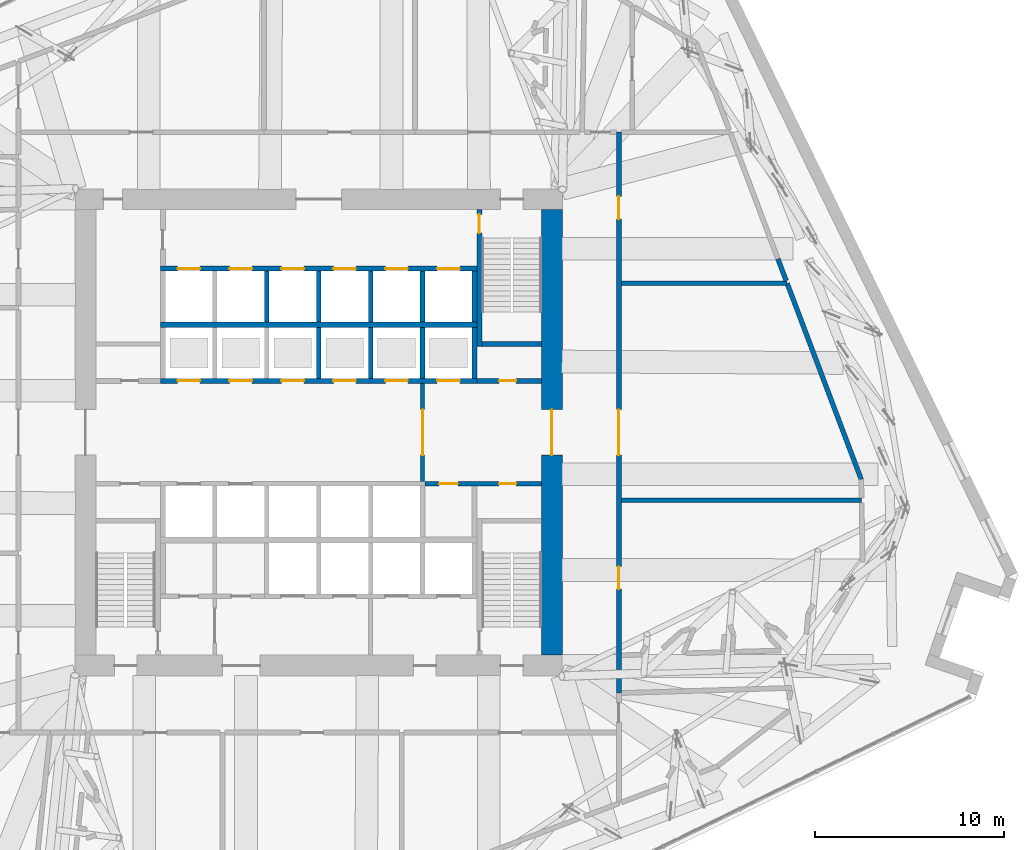
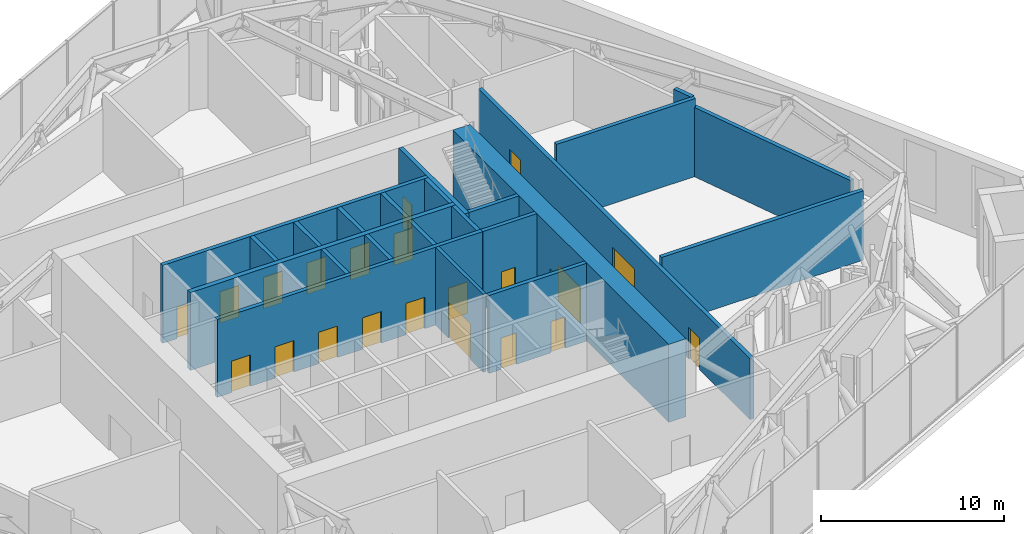
# One storey, part 13 of 21: 23 walls, 21 doors, 21 openings.
"""IFC4 building model written with IfcOpenShell, lengths in metres."""

from ifc_helpers import new_model, si_unit, direction, frame, frame_2d, origin, place, context, subcontext, project, spatial, rectangle, extrude, material, layer, layer_set, type_object, element, fill, save


model = new_model("IFC4")

# Units and contexts
model_context = context("Model", 3, precision=1e-05, world=origin(), true_north=direction((0.0, 1.0)))
body_context = subcontext(model_context, "Body", "Model", "MODEL_VIEW")
ifc_project = project(units=[si_unit("LENGTHUNIT", "METRE"), si_unit("AREAUNIT", "SQUARE_METRE"), si_unit("VOLUMEUNIT", "CUBIC_METRE"), si_unit("PLANEANGLEUNIT", "RADIAN"), si_unit("MASSUNIT", "GRAM", prefix="KILO")], contexts=[model_context])

# Site, building, storey
site_placement = place(None, origin())
site = spatial("IfcSite", under=ifc_project, at=site_placement, CompositionType="ELEMENT")
building_placement = place(site_placement, origin())
building = spatial("IfcBuilding", under=site, at=building_placement, Name="Dilmun Exchange Tower", CompositionType="ELEMENT")
storey_placement = place(building_placement, frame((0.0, 0.0, 130.10009765625)))
storey = spatial("IfcBuildingStorey", under=building, at=storey_placement, Name="L30", CompositionType="ELEMENT", Elevation=130.10009765625)

# Wall, opening, door
ifc_material_1 = material(Name="Concrete C40/50", Category="concrete")
ifc_layer_1 = layer(ifc_material_1, 0.199951171875)
ifc_layer_set_1 = layer_set([ifc_layer_1], Name="Concrete C40/50")
wall_type_1 = type_object("IfcWallType", Name="Core partition wall 200", PredefinedType="PARTITIONING", material=ifc_layer_set_1)
wall_1_placement = place(storey_placement, frame((5.5, -2.594970703125, 0.0), z_axis=(0.0, 0.0, 1.0), x_axis=(0.0, 1.0, 0.0)))
wall_1 = element("IfcWall", 1, at=wall_1_placement, inside=storey, type_object=wall_type_1, Name="L30 core partition wall 09", PredefinedType="PARTITIONING", context=body_context, shape_type="SweptSolid", body=[
    extrude(rectangle(XDim=5.18994140625, YDim=0.199951171875, at=frame_2d((2.594970703125, 0.0))), origin(), (0.0, 0.0, 1.0), 5.199951171875),
])
opening_1_placement = place(wall_1_placement, frame((1.39501953125, 0.0, 0.0)))
opening_1 = element("IfcOpeningElement", 2, at=opening_1_placement, cuts=wall_1, Name="Opening CD1", PredefinedType="OPENING", context=body_context, shape_type="SweptSolid", body=[
    extrude(rectangle(XDim=2.39990234375, YDim=2.39990234375, at=frame_2d((1.199951171875, 1.199951171875))), frame((0.0, 0.10986328125, 0.0), z_axis=(0.0, -1.0, 0.0), x_axis=(1.0, 0.0, 0.0)), (0.0, 0.0, 1.0), 0.219970703125),
])
ifc_material_2 = material(Name="Fire-rated steel door set", Category="steel")
door_type_1 = type_object("IfcDoorType", Name="Core lobby door 2400x2400", OperationType="DOUBLE_DOOR_DOUBLE_SWING", PredefinedType="DOOR", material=ifc_material_2)
door_1_placement = place(opening_1_placement, origin())
door_1 = element("IfcDoor", 3, at=door_1_placement, inside=storey, type_object=door_type_1, Name="L30 door Lift lobby east", OperationType="SINGLE_SWING_LEFT", OverallHeight=2.39990234375, OverallWidth=2.39990234375, PredefinedType="DOOR", context=body_context, shape_type="SweptSolid", body=[
    extrude(rectangle(XDim=2.39990234375, YDim=2.39990234375, at=frame_2d((1.199951171875, 1.199951171875))), frame((0.0, 0.02490234375, 0.0), z_axis=(0.0, -1.0, 0.0), x_axis=(1.0, 0.0, 0.0)), (0.0, 0.0, 1.0), 0.050048828125),
])
fill(opening_1, door_1)

# Wall, openings, doors
ifc_layer_2 = layer(ifc_material_1, 0.25)
ifc_layer_set_2 = layer_set([ifc_layer_2], Name="Concrete C40/50")
wall_type_2 = type_object("IfcWallType", Name="Core partition wall 250", PredefinedType="PARTITIONING", material=ifc_layer_set_2)
wall_2_placement = place(storey_placement, frame((5.6298828125, -2.72509765625, 0.0), z_axis=(0.0, 0.0, 1.0), x_axis=(1.0, 0.0, 0.0)))
wall_2 = element("IfcWall", 4, at=wall_2_placement, inside=storey, type_object=wall_type_2, Name="L30 core partition wall 08", PredefinedType="PARTITIONING", context=body_context, shape_type="SweptSolid", body=[
    extrude(rectangle(XDim=6.1650390625, YDim=0.25, at=frame_2d((3.08251953125, 0.0))), origin(), (0.0, 0.0, 1.0), 5.199951171875),
])
opening_2_placement = place(wall_2_placement, frame((0.7451171875, 0.0, 0.0)))
opening_2 = element("IfcOpeningElement", 5, at=opening_2_placement, cuts=wall_2, Name="Opening CD4", PredefinedType="OPENING", context=body_context, shape_type="SweptSolid", body=[
    extrude(rectangle(XDim=1.0, YDim=2.10009765625, at=frame_2d((0.5, 1.050048828125))), frame((0.0, 0.135009765625, 0.0), z_axis=(0.0, -1.0, 0.0), x_axis=(1.0, 0.0, 0.0)), (0.0, 0.0, 1.0), 0.27001953125),
])
opening_3_placement = place(wall_2_placement, frame((3.919921875, 0.0, 0.0)))
opening_3 = element("IfcOpeningElement", 6, at=opening_3_placement, cuts=wall_2, Name="Opening CD6", PredefinedType="OPENING", context=body_context, shape_type="SweptSolid", body=[
    extrude(rectangle(XDim=0.89990234375, YDim=2.10009765625, at=frame_2d((0.449951171875, 1.050048828125))), frame((0.0, 0.135009765625, 0.0), z_axis=(0.0, -1.0, 0.0), x_axis=(1.0, 0.0, 0.0)), (0.0, 0.0, 1.0), 0.27001953125),
])
door_type_2 = type_object("IfcDoorType", Name="Core room door 1000x2100", OperationType="SINGLE_SWING_LEFT", PredefinedType="DOOR", material=ifc_material_2)
door_2_placement = place(opening_2_placement, origin())
door_2 = element("IfcDoor", 7, at=door_2_placement, inside=storey, type_object=door_type_2, Name="L30 door Cleaners' store", OperationType="SINGLE_SWING_LEFT", OverallHeight=2.10009765625, OverallWidth=1.0, PredefinedType="DOOR", context=body_context, shape_type="SweptSolid", body=[
    extrude(rectangle(XDim=1.0, YDim=2.10009765625, at=frame_2d((0.5, 1.050048828125))), frame((0.0, 0.02490234375, 0.0), z_axis=(0.0, -1.0, 0.0), x_axis=(1.0, 0.0, 0.0)), (0.0, 0.0, 1.0), 0.050048828125),
])
fill(opening_2, door_2)
door_type_3 = type_object("IfcDoorType", Name="Core room door 900x2100", OperationType="SINGLE_SWING_LEFT", PredefinedType="DOOR", material=ifc_material_2)
door_3_placement = place(opening_3_placement, origin())
door_3 = element("IfcDoor", 8, at=door_3_placement, inside=storey, type_object=door_type_3, Name="L30 door Comms riser", OperationType="SINGLE_SWING_LEFT", OverallHeight=2.10009765625, OverallWidth=0.89990234375, PredefinedType="DOOR", context=body_context, shape_type="SweptSolid", body=[
    extrude(rectangle(XDim=0.89990234375, YDim=2.10009765625, at=frame_2d((0.449951171875, 1.050048828125))), frame((0.0, 0.02490234375, 0.0), z_axis=(0.0, -1.0, 0.0), x_axis=(1.0, 0.0, 0.0)), (0.0, 0.0, 1.0), 0.050048828125),
])
fill(opening_3, door_3)

# Wall, opening, door
wall_3_placement = place(storey_placement, frame((8.3798828125, 2.72509765625, 0.0), z_axis=(0.0, 0.0, 1.0), x_axis=(1.0, 0.0, 0.0)))
wall_3 = element("IfcWall", 9, at=wall_3_placement, inside=storey, type_object=wall_type_2, Name="L30 core partition wall 11", PredefinedType="PARTITIONING", context=body_context, shape_type="SweptSolid", body=[
    extrude(rectangle(XDim=3.4150390625, YDim=0.25, at=frame_2d((1.70751953125, 0.0))), origin(), (0.0, 0.0, 1.0), 5.199951171875),
])
opening_4_placement = place(wall_3_placement, frame((1.169921875, 0.0, 0.0)))
opening_4 = element("IfcOpeningElement", 10, at=opening_4_placement, cuts=wall_3, Name="Opening CD6", PredefinedType="OPENING", context=body_context, shape_type="SweptSolid", body=[
    extrude(rectangle(XDim=0.89990234375, YDim=2.10009765625, at=frame_2d((0.449951171875, 1.050048828125))), frame((0.0, 0.135009765625, 0.0), z_axis=(0.0, -1.0, 0.0), x_axis=(1.0, 0.0, 0.0)), (0.0, 0.0, 1.0), 0.27001953125),
])
door_4_placement = place(opening_4_placement, origin())
door_4 = element("IfcDoor", 11, at=door_4_placement, inside=storey, type_object=door_type_3, Name="L30 door Electrical riser", OperationType="SINGLE_SWING_LEFT", OverallHeight=2.10009765625, OverallWidth=0.89990234375, PredefinedType="DOOR", context=body_context, shape_type="SweptSolid", body=[
    extrude(rectangle(XDim=0.89990234375, YDim=2.10009765625, at=frame_2d((0.449951171875, 1.050048828125))), frame((0.0, 0.02490234375, 0.0), z_axis=(0.0, -1.0, 0.0), x_axis=(1.0, 0.0, 0.0)), (0.0, 0.0, 1.0), 0.050048828125),
])
fill(opening_4, door_4)

ifc_material_3 = material(Name="Concrete C80/95", Category="concrete")
ifc_layer_3 = layer(ifc_material_3, 1.10009765625)
ifc_layer_set_3 = layer_set([ifc_layer_3], Name="Concrete C80/95")
wall_type_3 = type_object("IfcWallType", Name="Core shear wall 1100 Concrete C80/95", PredefinedType="SHEAR", material=ifc_layer_set_3)
wall_4_placement = place(storey_placement, frame((12.35009765625, -11.800048828125, 0.0), z_axis=(0.0, 0.0, 1.0), x_axis=(0.0, 1.0, 0.0)))
wall_4 = element("IfcWall", 12, at=wall_4_placement, inside=storey, type_object=wall_type_3, Name="L30 core shear wall E", PredefinedType="SHEAR", context=body_context, shape_type="SweptSolid", body=[
    extrude(rectangle(XDim=23.60009765625, YDim=1.10009765625, at=frame_2d((11.800048828125, 0.0))), origin(), (0.0, 0.0, 1.0), 5.199951171875),
])
opening_5_placement = place(wall_4_placement, frame((10.60009765625, 0.0, 0.0)))
opening_5 = element("IfcOpeningElement", 13, at=opening_5_placement, cuts=wall_4, Name="Opening CD1", PredefinedType="OPENING", context=body_context, shape_type="SweptSolid", body=[
    extrude(rectangle(XDim=2.39990234375, YDim=2.39990234375, at=frame_2d((1.199951171875, 1.199951171875))), frame((0.0, 0.56005859375, 0.0), z_axis=(0.0, -1.0, 0.0), x_axis=(1.0, 0.0, 0.0)), (0.0, 0.0, 1.0), 1.1201171875),
])
door_5_placement = place(opening_5_placement, origin())
door_5 = element("IfcDoor", 14, at=door_5_placement, inside=storey, type_object=door_type_1, Name="L30 door Central lift lobby", OperationType="SINGLE_SWING_LEFT", OverallHeight=2.39990234375, OverallWidth=2.39990234375, PredefinedType="DOOR", context=body_context, shape_type="SweptSolid", body=[
    extrude(rectangle(XDim=2.39990234375, YDim=2.39990234375, at=frame_2d((1.199951171875, 1.199951171875))), frame((0.0, 0.02490234375, 0.0), z_axis=(0.0, -1.0, 0.0), x_axis=(1.0, 0.0, 0.0)), (0.0, 0.0, 1.0), 0.050048828125),
])
fill(opening_5, door_5)

# Wall
ifc_layer_4 = layer(ifc_material_1, 0.300048828125)
ifc_layer_set_4 = layer_set([ifc_layer_4], Name="Concrete C40/50")
wall_type_4 = type_object("IfcWallType", Name="Lift shaft shared wall 300", PredefinedType="SOLIDWALL", material=ifc_layer_set_4)
wall_5_placement = place(storey_placement, frame((-8.375, 5.699951171875, 0.0), z_axis=(0.0, 0.0, 1.0), x_axis=(1.0, 0.0, 0.0)))
element("IfcWall", 15, at=wall_5_placement, inside=storey, type_object=wall_type_4, Name="L30 lift shaft rear wall N", PredefinedType="SOLIDWALL", context=body_context, shape_type="SweptSolid", body=[
    extrude(rectangle(XDim=16.75, YDim=0.300048828125, at=frame_2d((8.375, 0.0))), origin(), (0.0, 0.0, 1.0), 5.199951171875),
])

# Wall, openings, doors
ifc_layer_5 = layer(ifc_material_1, 0.25)
ifc_layer_set_5 = layer_set([ifc_layer_5], Name="Concrete C40/50")
wall_type_5 = type_object("IfcWallType", Name="Lift shaft wall 250", PredefinedType="SOLIDWALL", material=ifc_layer_set_5)
wall_6_placement = place(storey_placement, frame((-8.375, 2.72509765625, 0.0), z_axis=(0.0, 0.0, 1.0), x_axis=(1.0, 0.0, 0.0)))
wall_6 = element("IfcWall", 16, at=wall_6_placement, inside=storey, type_object=wall_type_5, Name="L30 lift shaft front wall N1", PredefinedType="SOLIDWALL", context=body_context, shape_type="SweptSolid", body=[
    extrude(rectangle(XDim=16.75, YDim=0.25, at=frame_2d((8.375, 0.0))), origin(), (0.0, 0.0, 1.0), 5.199951171875),
])
opening_6_placement = place(wall_6_placement, frame((0.89990234375, 0.0, 0.0)))
opening_6 = element("IfcOpeningElement", 17, at=opening_6_placement, cuts=wall_6, Name="Opening LD", PredefinedType="OPENING", context=body_context, shape_type="SweptSolid", body=[
    extrude(rectangle(XDim=1.199951171875, YDim=2.10009765625, at=frame_2d((0.60009765625, 1.050048828125))), frame((0.0, 0.135009765625, 0.0), z_axis=(0.0, -1.0, 0.0), x_axis=(1.0, 0.0, 0.0)), (0.0, 0.0, 1.0), 0.27001953125),
])
opening_7_placement = place(wall_6_placement, frame((3.64990234375, 0.0, 0.0)))
opening_7 = element("IfcOpeningElement", 18, at=opening_7_placement, cuts=wall_6, Name="Opening LD", PredefinedType="OPENING", context=body_context, shape_type="SweptSolid", body=[
    extrude(rectangle(XDim=1.199951171875, YDim=2.10009765625, at=frame_2d((0.60009765625, 1.050048828125))), frame((0.0, 0.135009765625, 0.0), z_axis=(0.0, -1.0, 0.0), x_axis=(1.0, 0.0, 0.0)), (0.0, 0.0, 1.0), 0.27001953125),
])
opening_8_placement = place(wall_6_placement, frame((6.39990234375, 0.0, 0.0)))
opening_8 = element("IfcOpeningElement", 19, at=opening_8_placement, cuts=wall_6, Name="Opening LD", PredefinedType="OPENING", context=body_context, shape_type="SweptSolid", body=[
    extrude(rectangle(XDim=1.199951171875, YDim=2.10009765625, at=frame_2d((0.60009765625, 1.050048828125))), frame((0.0, 0.135009765625, 0.0), z_axis=(0.0, -1.0, 0.0), x_axis=(1.0, 0.0, 0.0)), (0.0, 0.0, 1.0), 0.27001953125),
])
opening_9_placement = place(wall_6_placement, frame((9.14990234375, 0.0, 0.0)))
opening_9 = element("IfcOpeningElement", 20, at=opening_9_placement, cuts=wall_6, Name="Opening LD", PredefinedType="OPENING", context=body_context, shape_type="SweptSolid", body=[
    extrude(rectangle(XDim=1.199951171875, YDim=2.10009765625, at=frame_2d((0.60009765625, 1.050048828125))), frame((0.0, 0.135009765625, 0.0), z_axis=(0.0, -1.0, 0.0), x_axis=(1.0, 0.0, 0.0)), (0.0, 0.0, 1.0), 0.27001953125),
])
opening_10_placement = place(wall_6_placement, frame((11.89990234375, 0.0, 0.0)))
opening_10 = element("IfcOpeningElement", 21, at=opening_10_placement, cuts=wall_6, Name="Opening LD", PredefinedType="OPENING", context=body_context, shape_type="SweptSolid", body=[
    extrude(rectangle(XDim=1.199951171875, YDim=2.10009765625, at=frame_2d((0.60009765625, 1.050048828125))), frame((0.0, 0.135009765625, 0.0), z_axis=(0.0, -1.0, 0.0), x_axis=(1.0, 0.0, 0.0)), (0.0, 0.0, 1.0), 0.27001953125),
])
opening_11_placement = place(wall_6_placement, frame((14.64990234375, 0.0, 0.0)))
opening_11 = element("IfcOpeningElement", 22, at=opening_11_placement, cuts=wall_6, Name="Opening LD", PredefinedType="OPENING", context=body_context, shape_type="SweptSolid", body=[
    extrude(rectangle(XDim=1.199951171875, YDim=2.10009765625, at=frame_2d((0.60009765625, 1.050048828125))), frame((0.0, 0.135009765625, 0.0), z_axis=(0.0, -1.0, 0.0), x_axis=(1.0, 0.0, 0.0)), (0.0, 0.0, 1.0), 0.27001953125),
])
door_type_4 = type_object("IfcDoorType", Name="Lift landing door 1200x2100", OperationType="DOUBLE_DOOR_SLIDING", PredefinedType="DOOR", material=ifc_material_2)
door_6_placement = place(opening_6_placement, origin())
door_6 = element("IfcDoor", 23, at=door_6_placement, inside=storey, type_object=door_type_4, Name="L30 landing door MR1", OperationType="DOUBLE_DOOR_SLIDING", OverallHeight=2.10009765625, OverallWidth=1.199951171875, PredefinedType="DOOR", context=body_context, shape_type="SweptSolid", body=[
    extrude(rectangle(XDim=1.199951171875, YDim=2.10009765625, at=frame_2d((0.60009765625, 1.050048828125))), frame((0.0, 0.02490234375, 0.0), z_axis=(0.0, -1.0, 0.0), x_axis=(1.0, 0.0, 0.0)), (0.0, 0.0, 1.0), 0.050048828125),
])
fill(opening_6, door_6)
door_7_placement = place(opening_7_placement, origin())
door_7 = element("IfcDoor", 24, at=door_7_placement, inside=storey, type_object=door_type_4, Name="L30 landing door MR2", OperationType="DOUBLE_DOOR_SLIDING", OverallHeight=2.10009765625, OverallWidth=1.199951171875, PredefinedType="DOOR", context=body_context, shape_type="SweptSolid", body=[
    extrude(rectangle(XDim=1.199951171875, YDim=2.10009765625, at=frame_2d((0.60009765625, 1.050048828125))), frame((0.0, 0.02490234375, 0.0), z_axis=(0.0, -1.0, 0.0), x_axis=(1.0, 0.0, 0.0)), (0.0, 0.0, 1.0), 0.050048828125),
])
fill(opening_7, door_7)
door_8_placement = place(opening_8_placement, origin())
door_8 = element("IfcDoor", 25, at=door_8_placement, inside=storey, type_object=door_type_4, Name="L30 landing door MR3", OperationType="DOUBLE_DOOR_SLIDING", OverallHeight=2.10009765625, OverallWidth=1.199951171875, PredefinedType="DOOR", context=body_context, shape_type="SweptSolid", body=[
    extrude(rectangle(XDim=1.199951171875, YDim=2.10009765625, at=frame_2d((0.60009765625, 1.050048828125))), frame((0.0, 0.02490234375, 0.0), z_axis=(0.0, -1.0, 0.0), x_axis=(1.0, 0.0, 0.0)), (0.0, 0.0, 1.0), 0.050048828125),
])
fill(opening_8, door_8)
door_9_placement = place(opening_9_placement, origin())
door_9 = element("IfcDoor", 26, at=door_9_placement, inside=storey, type_object=door_type_4, Name="L30 landing door MR4", OperationType="DOUBLE_DOOR_SLIDING", OverallHeight=2.10009765625, OverallWidth=1.199951171875, PredefinedType="DOOR", context=body_context, shape_type="SweptSolid", body=[
    extrude(rectangle(XDim=1.199951171875, YDim=2.10009765625, at=frame_2d((0.60009765625, 1.050048828125))), frame((0.0, 0.02490234375, 0.0), z_axis=(0.0, -1.0, 0.0), x_axis=(1.0, 0.0, 0.0)), (0.0, 0.0, 1.0), 0.050048828125),
])
fill(opening_9, door_9)
door_10_placement = place(opening_10_placement, origin())
door_10 = element("IfcDoor", 27, at=door_10_placement, inside=storey, type_object=door_type_4, Name="L30 landing door MR5", OperationType="DOUBLE_DOOR_SLIDING", OverallHeight=2.10009765625, OverallWidth=1.199951171875, PredefinedType="DOOR", context=body_context, shape_type="SweptSolid", body=[
    extrude(rectangle(XDim=1.199951171875, YDim=2.10009765625, at=frame_2d((0.60009765625, 1.050048828125))), frame((0.0, 0.02490234375, 0.0), z_axis=(0.0, -1.0, 0.0), x_axis=(1.0, 0.0, 0.0)), (0.0, 0.0, 1.0), 0.050048828125),
])
fill(opening_10, door_10)
door_11_placement = place(opening_11_placement, origin())
door_11 = element("IfcDoor", 28, at=door_11_placement, inside=storey, type_object=door_type_4, Name="L30 landing door MR6", OperationType="DOUBLE_DOOR_SLIDING", OverallHeight=2.10009765625, OverallWidth=1.199951171875, PredefinedType="DOOR", context=body_context, shape_type="SweptSolid", body=[
    extrude(rectangle(XDim=1.199951171875, YDim=2.10009765625, at=frame_2d((0.60009765625, 1.050048828125))), frame((0.0, 0.02490234375, 0.0), z_axis=(0.0, -1.0, 0.0), x_axis=(1.0, 0.0, 0.0)), (0.0, 0.0, 1.0), 0.050048828125),
])
fill(opening_11, door_11)

# Walls
for number, where, z_axis, x_axis, name in (
    (29, (0.0, 2.85009765625, 0.0), (0.0, 0.0, 1.0), (0.0, 1.0, 0.0), "L30 lift shaft divider N13"),
    (30, (2.75, 2.85009765625, 0.0), (0.0, 0.0, 1.0), (0.0, 1.0, 0.0), "L30 lift shaft divider N14"),
    (31, (5.5, 2.85009765625, 0.0), (0.0, 0.0, 1.0), (0.0, 1.0, 0.0), "L30 lift shaft divider N15"),
    (32, (8.25, 2.85009765625, 0.0), (0.0, 0.0, 1.0), (0.0, 1.0, 0.0), "L30 lift shaft divider N16"),
):
    element("IfcWall", number, at=place(storey_placement, frame(where, z_axis=z_axis, x_axis=x_axis)), inside=storey, type_object=wall_type_5, Name=name, PredefinedType="SOLIDWALL", context=body_context, shape_type="SweptSolid", body=[
        extrude(rectangle(XDim=2.699951171875, YDim=0.25, at=frame_2d((1.35009765625, 0.0))), origin(), (0.0, 0.0, 1.0), 5.199951171875),
    ])

# Wall, openings, doors
wall_7_placement = place(storey_placement, frame((-8.375, 8.675048828125, 0.0), z_axis=(0.0, 0.0, 1.0), x_axis=(1.0, 0.0, 0.0)))
wall_7 = element("IfcWall", 33, at=wall_7_placement, inside=storey, type_object=wall_type_5, Name="L30 lift shaft front wall N2", PredefinedType="SOLIDWALL", context=body_context, shape_type="SweptSolid", body=[
    extrude(rectangle(XDim=16.75, YDim=0.25, at=frame_2d((8.375, 0.0))), origin(), (0.0, 0.0, 1.0), 5.199951171875),
])
opening_12_placement = place(wall_7_placement, frame((0.89990234375, 0.0, 0.0)))
opening_12 = element("IfcOpeningElement", 34, at=opening_12_placement, cuts=wall_7, Name="Opening LD", PredefinedType="OPENING", context=body_context, shape_type="SweptSolid", body=[
    extrude(rectangle(XDim=1.199951171875, YDim=2.10009765625, at=frame_2d((0.60009765625, 1.050048828125))), frame((0.0, 0.135009765625, 0.0), z_axis=(0.0, -1.0, 0.0), x_axis=(1.0, 0.0, 0.0)), (0.0, 0.0, 1.0), 0.27001953125),
])
opening_13_placement = place(wall_7_placement, frame((3.64990234375, 0.0, 0.0)))
opening_13 = element("IfcOpeningElement", 35, at=opening_13_placement, cuts=wall_7, Name="Opening LD", PredefinedType="OPENING", context=body_context, shape_type="SweptSolid", body=[
    extrude(rectangle(XDim=1.199951171875, YDim=2.10009765625, at=frame_2d((0.60009765625, 1.050048828125))), frame((0.0, 0.135009765625, 0.0), z_axis=(0.0, -1.0, 0.0), x_axis=(1.0, 0.0, 0.0)), (0.0, 0.0, 1.0), 0.27001953125),
])
opening_14_placement = place(wall_7_placement, frame((6.39990234375, 0.0, 0.0)))
opening_14 = element("IfcOpeningElement", 36, at=opening_14_placement, cuts=wall_7, Name="Opening LD", PredefinedType="OPENING", context=body_context, shape_type="SweptSolid", body=[
    extrude(rectangle(XDim=1.199951171875, YDim=2.10009765625, at=frame_2d((0.60009765625, 1.050048828125))), frame((0.0, 0.135009765625, 0.0), z_axis=(0.0, -1.0, 0.0), x_axis=(1.0, 0.0, 0.0)), (0.0, 0.0, 1.0), 0.27001953125),
])
opening_15_placement = place(wall_7_placement, frame((9.14990234375, 0.0, 0.0)))
opening_15 = element("IfcOpeningElement", 37, at=opening_15_placement, cuts=wall_7, Name="Opening LD", PredefinedType="OPENING", context=body_context, shape_type="SweptSolid", body=[
    extrude(rectangle(XDim=1.199951171875, YDim=2.10009765625, at=frame_2d((0.60009765625, 1.050048828125))), frame((0.0, 0.135009765625, 0.0), z_axis=(0.0, -1.0, 0.0), x_axis=(1.0, 0.0, 0.0)), (0.0, 0.0, 1.0), 0.27001953125),
])
opening_16_placement = place(wall_7_placement, frame((11.89990234375, 0.0, 0.0)))
opening_16 = element("IfcOpeningElement", 38, at=opening_16_placement, cuts=wall_7, Name="Opening LD", PredefinedType="OPENING", context=body_context, shape_type="SweptSolid", body=[
    extrude(rectangle(XDim=1.199951171875, YDim=2.10009765625, at=frame_2d((0.60009765625, 1.050048828125))), frame((0.0, 0.135009765625, 0.0), z_axis=(0.0, -1.0, 0.0), x_axis=(1.0, 0.0, 0.0)), (0.0, 0.0, 1.0), 0.27001953125),
])
opening_17_placement = place(wall_7_placement, frame((14.64990234375, 0.0, 0.0)))
opening_17 = element("IfcOpeningElement", 39, at=opening_17_placement, cuts=wall_7, Name="Opening LD", PredefinedType="OPENING", context=body_context, shape_type="SweptSolid", body=[
    extrude(rectangle(XDim=1.199951171875, YDim=2.10009765625, at=frame_2d((0.60009765625, 1.050048828125))), frame((0.0, 0.135009765625, 0.0), z_axis=(0.0, -1.0, 0.0), x_axis=(1.0, 0.0, 0.0)), (0.0, 0.0, 1.0), 0.27001953125),
])
door_12_placement = place(opening_12_placement, origin())
door_12 = element("IfcDoor", 40, at=door_12_placement, inside=storey, type_object=door_type_4, Name="L30 landing door LR1", OperationType="DOUBLE_DOOR_SLIDING", OverallHeight=2.10009765625, OverallWidth=1.199951171875, PredefinedType="DOOR", context=body_context, shape_type="SweptSolid", body=[
    extrude(rectangle(XDim=1.199951171875, YDim=2.10009765625, at=frame_2d((0.60009765625, 1.050048828125))), frame((0.0, 0.02490234375, 0.0), z_axis=(0.0, -1.0, 0.0), x_axis=(1.0, 0.0, 0.0)), (0.0, 0.0, 1.0), 0.050048828125),
])
fill(opening_12, door_12)
door_13_placement = place(opening_13_placement, origin())
door_13 = element("IfcDoor", 41, at=door_13_placement, inside=storey, type_object=door_type_4, Name="L30 landing door LR2", OperationType="DOUBLE_DOOR_SLIDING", OverallHeight=2.10009765625, OverallWidth=1.199951171875, PredefinedType="DOOR", context=body_context, shape_type="SweptSolid", body=[
    extrude(rectangle(XDim=1.199951171875, YDim=2.10009765625, at=frame_2d((0.60009765625, 1.050048828125))), frame((0.0, 0.02490234375, 0.0), z_axis=(0.0, -1.0, 0.0), x_axis=(1.0, 0.0, 0.0)), (0.0, 0.0, 1.0), 0.050048828125),
])
fill(opening_13, door_13)
door_14_placement = place(opening_14_placement, origin())
door_14 = element("IfcDoor", 42, at=door_14_placement, inside=storey, type_object=door_type_4, Name="L30 landing door LR3", OperationType="DOUBLE_DOOR_SLIDING", OverallHeight=2.10009765625, OverallWidth=1.199951171875, PredefinedType="DOOR", context=body_context, shape_type="SweptSolid", body=[
    extrude(rectangle(XDim=1.199951171875, YDim=2.10009765625, at=frame_2d((0.60009765625, 1.050048828125))), frame((0.0, 0.02490234375, 0.0), z_axis=(0.0, -1.0, 0.0), x_axis=(1.0, 0.0, 0.0)), (0.0, 0.0, 1.0), 0.050048828125),
])
fill(opening_14, door_14)
door_15_placement = place(opening_15_placement, origin())
door_15 = element("IfcDoor", 43, at=door_15_placement, inside=storey, type_object=door_type_4, Name="L30 landing door LR4", OperationType="DOUBLE_DOOR_SLIDING", OverallHeight=2.10009765625, OverallWidth=1.199951171875, PredefinedType="DOOR", context=body_context, shape_type="SweptSolid", body=[
    extrude(rectangle(XDim=1.199951171875, YDim=2.10009765625, at=frame_2d((0.60009765625, 1.050048828125))), frame((0.0, 0.02490234375, 0.0), z_axis=(0.0, -1.0, 0.0), x_axis=(1.0, 0.0, 0.0)), (0.0, 0.0, 1.0), 0.050048828125),
])
fill(opening_15, door_15)
door_16_placement = place(opening_16_placement, origin())
door_16 = element("IfcDoor", 44, at=door_16_placement, inside=storey, type_object=door_type_4, Name="L30 landing door LR5", OperationType="DOUBLE_DOOR_SLIDING", OverallHeight=2.10009765625, OverallWidth=1.199951171875, PredefinedType="DOOR", context=body_context, shape_type="SweptSolid", body=[
    extrude(rectangle(XDim=1.199951171875, YDim=2.10009765625, at=frame_2d((0.60009765625, 1.050048828125))), frame((0.0, 0.02490234375, 0.0), z_axis=(0.0, -1.0, 0.0), x_axis=(1.0, 0.0, 0.0)), (0.0, 0.0, 1.0), 0.050048828125),
])
fill(opening_16, door_16)
door_17_placement = place(opening_17_placement, origin())
door_17 = element("IfcDoor", 45, at=door_17_placement, inside=storey, type_object=door_type_4, Name="L30 landing door LR6", OperationType="DOUBLE_DOOR_SLIDING", OverallHeight=2.10009765625, OverallWidth=1.199951171875, PredefinedType="DOOR", context=body_context, shape_type="SweptSolid", body=[
    extrude(rectangle(XDim=1.199951171875, YDim=2.10009765625, at=frame_2d((0.60009765625, 1.050048828125))), frame((0.0, 0.02490234375, 0.0), z_axis=(0.0, -1.0, 0.0), x_axis=(1.0, 0.0, 0.0)), (0.0, 0.0, 1.0), 0.050048828125),
])
fill(opening_17, door_17)

# Walls
for number, where, z_axis, x_axis, name in (
    (46, (-2.75, 5.85009765625, 0.0), (0.0, 0.0, 1.0), (0.0, 1.0, 0.0), "L30 lift shaft divider N22"),
    (47, (0.0, 5.85009765625, 0.0), (0.0, 0.0, 1.0), (0.0, 1.0, 0.0), "L30 lift shaft divider N23"),
    (48, (2.75, 5.85009765625, 0.0), (0.0, 0.0, 1.0), (0.0, 1.0, 0.0), "L30 lift shaft divider N24"),
    (49, (5.5, 5.85009765625, 0.0), (0.0, 0.0, 1.0), (0.0, 1.0, 0.0), "L30 lift shaft divider N25"),
    (50, (8.25, 5.85009765625, 0.0), (0.0, 0.0, 1.0), (0.0, 1.0, 0.0), "L30 lift shaft divider N26"),
):
    element("IfcWall", number, at=place(storey_placement, frame(where, z_axis=z_axis, x_axis=x_axis)), inside=storey, type_object=wall_type_5, Name=name, PredefinedType="SOLIDWALL", context=body_context, shape_type="SweptSolid", body=[
        extrude(rectangle(XDim=2.699951171875, YDim=0.25, at=frame_2d((1.35009765625, 0.0))), origin(), (0.0, 0.0, 1.0), 5.199951171875),
    ])

# Wall, openings, doors
ifc_material_4 = material(Name="Concrete C32/40", Category="concrete")
ifc_layer_6 = layer(ifc_material_4, 0.25)
ifc_layer_set_6 = layer_set([ifc_layer_6], Name="Concrete C32/40")
wall_type_6 = type_object("IfcWallType", Name="Plant room wall 250", PredefinedType="PARTITIONING", material=ifc_layer_set_6)
wall_8_placement = place(storey_placement, frame((15.89990234375, -13.8046875, 0.0), z_axis=(0.0, 0.0, 1.0), x_axis=(0.0, 1.0, 0.0)))
wall_8 = element("IfcWall", 51, at=wall_8_placement, inside=storey, type_object=wall_type_6, Name="L30 plant room wall 37", PredefinedType="PARTITIONING", context=body_context, shape_type="SweptSolid", body=[
    extrude(rectangle(XDim=29.70458984375, YDim=0.25, at=frame_2d((14.852294921875, 0.0))), origin(), (0.0, 0.0, 1.0), 4.079833984375),
])
opening_18_placement = place(wall_8_placement, frame((25.104736328125, 0.0, 0.0)))
opening_18 = element("IfcOpeningElement", 52, at=opening_18_placement, cuts=wall_8, Name="Opening PD2", PredefinedType="OPENING", context=body_context, shape_type="SweptSolid", body=[
    extrude(rectangle(XDim=1.199951171875, YDim=2.10009765625, at=frame_2d((0.60009765625, 1.050048828125))), frame((0.0, 0.135009765625, 0.0), z_axis=(0.0, -1.0, 0.0), x_axis=(1.0, 0.0, 0.0)), (0.0, 0.0, 1.0), 0.27001953125),
])
opening_19_placement = place(wall_8_placement, frame((12.604736328125, 0.0, 0.0)))
opening_19 = element("IfcOpeningElement", 53, at=opening_19_placement, cuts=wall_8, Name="Opening PD4", PredefinedType="OPENING", context=body_context, shape_type="SweptSolid", body=[
    extrude(rectangle(XDim=2.39990234375, YDim=2.39990234375, at=frame_2d((1.199951171875, 1.199951171875))), frame((0.0, 0.135009765625, 0.0), z_axis=(0.0, -1.0, 0.0), x_axis=(1.0, 0.0, 0.0)), (0.0, 0.0, 1.0), 0.27001953125),
])
opening_20_placement = place(wall_8_placement, frame((5.500244140625, 0.0, 0.0)))
opening_20 = element("IfcOpeningElement", 54, at=opening_20_placement, cuts=wall_8, Name="Opening PD2", PredefinedType="OPENING", context=body_context, shape_type="SweptSolid", body=[
    extrude(rectangle(XDim=1.199951171875, YDim=2.10009765625, at=frame_2d((0.60009765625, 1.050048828125))), frame((0.0, 0.135009765625, 0.0), z_axis=(0.0, -1.0, 0.0), x_axis=(1.0, 0.0, 0.0)), (0.0, 0.0, 1.0), 0.27001953125),
])
door_type_5 = type_object("IfcDoorType", Name="Plant room door 1200x2100", OperationType="SINGLE_SWING_LEFT", PredefinedType="DOOR", material=ifc_material_2)
door_18_placement = place(opening_18_placement, origin())
door_18 = element("IfcDoor", 55, at=door_18_placement, inside=storey, type_object=door_type_5, Name="L30 door Plant fire pump room", OperationType="SINGLE_SWING_LEFT", OverallHeight=2.10009765625, OverallWidth=1.199951171875, PredefinedType="DOOR", context=body_context, shape_type="SweptSolid", body=[
    extrude(rectangle(XDim=1.199951171875, YDim=2.10009765625, at=frame_2d((0.60009765625, 1.050048828125))), frame((0.0, 0.02490234375, 0.0), z_axis=(0.0, -1.0, 0.0), x_axis=(1.0, 0.0, 0.0)), (0.0, 0.0, 1.0), 0.050048828125),
])
fill(opening_18, door_18)
door_19_placement = place(opening_20_placement, origin())
door_19 = element("IfcDoor", 56, at=door_19_placement, inside=storey, type_object=door_type_5, Name="L30 door Refuge area", OperationType="SINGLE_SWING_LEFT", OverallHeight=2.10009765625, OverallWidth=1.199951171875, PredefinedType="DOOR", context=body_context, shape_type="SweptSolid", body=[
    extrude(rectangle(XDim=1.199951171875, YDim=2.10009765625, at=frame_2d((0.60009765625, 1.050048828125))), frame((0.0, 0.02490234375, 0.0), z_axis=(0.0, -1.0, 0.0), x_axis=(1.0, 0.0, 0.0)), (0.0, 0.0, 1.0), 0.050048828125),
])
fill(opening_20, door_19)
door_type_6 = type_object("IfcDoorType", Name="Sky lobby door 2400x2400", OperationType="DOUBLE_DOOR_DOUBLE_SWING", PredefinedType="DOOR", material=ifc_material_2)
door_20_placement = place(opening_19_placement, origin())
door_20 = element("IfcDoor", 57, at=door_20_placement, inside=storey, type_object=door_type_6, Name="L30 door Sky lobby", OperationType="SINGLE_SWING_LEFT", OverallHeight=2.39990234375, OverallWidth=2.39990234375, PredefinedType="DOOR", context=body_context, shape_type="SweptSolid", body=[
    extrude(rectangle(XDim=2.39990234375, YDim=2.39990234375, at=frame_2d((1.199951171875, 1.199951171875))), frame((0.0, 0.02490234375, 0.0), z_axis=(0.0, -1.0, 0.0), x_axis=(1.0, 0.0, 0.0)), (0.0, 0.0, 1.0), 0.050048828125),
])
fill(opening_19, door_20)

# Walls
wall_9_placement = place(storey_placement, frame((16.030029296875, -3.60009765625, 0.0), z_axis=(0.0, 0.0, 1.0), x_axis=(1.0, 0.0, 0.0)))
element("IfcWall", 58, at=wall_9_placement, inside=storey, type_object=wall_type_6, Name="L30 plant room wall 63", PredefinedType="PARTITIONING", context=body_context, shape_type="SweptSolid", body=[
    extrude(rectangle(XDim=12.72314453125, YDim=0.25, at=frame_2d((6.361572265625, 0.0))), origin(), (0.0, 0.0, 1.0), 4.6298828125),
])
wall_10_placement = place(storey_placement, frame((16.030029296875, 7.89990234375, 0.0), z_axis=(0.0, 0.0, 1.0), x_axis=(1.0, 0.0, 0.0)))
element("IfcWall", 59, at=wall_10_placement, inside=storey, type_object=wall_type_6, Name="L30 plant room wall 69", PredefinedType="PARTITIONING", context=body_context, shape_type="SweptSolid", body=[
    extrude(rectangle(XDim=8.77880859375, YDim=0.25, at=frame_2d((4.389404296875, 0.0))), origin(), (0.0, 0.0, 1.0), 5.199951171875),
])
wall_11_placement = place(storey_placement, frame((24.81396484375, 7.88671875, 0.0), z_axis=(0.0, 0.0, 1.0), x_axis=(0.353334226632, -0.935497153545, 0.0)))
element("IfcWall", 60, at=wall_11_placement, inside=storey, type_object=wall_type_6, Name="L30 plant room wall 70", PredefinedType="PARTITIONING", context=body_context, shape_type="SweptSolid", body=[
    extrude(rectangle(XDim=11.0927734375, YDim=0.25, at=frame_2d((5.54638671875, 0.0))), origin(), (0.0, 0.0, 1.0), 4.6298828125),
])
wall_12_placement = place(storey_placement, frame((24.32275390625, 9.18701171875, 0.0), z_axis=(0.0, 0.0, 1.0), x_axis=(0.353350663063, -0.935490945393, 0.0)))
element("IfcWall", 61, at=wall_12_placement, inside=storey, type_object=wall_type_6, Name="L30 plant room wall 74", PredefinedType="PARTITIONING", context=body_context, shape_type="SweptSolid", body=[
    extrude(rectangle(XDim=1.23681640625, YDim=0.25, at=frame_2d((0.618408203125, 0.0))), origin(), (0.0, 0.0, 1.0), 5.199951171875),
])
ifc_layer_7 = layer(ifc_material_1, 0.25)
ifc_layer_set_7 = layer_set([ifc_layer_7], Name="Concrete C40/50")
wall_type_7 = type_object("IfcWallType", Name="Stair end wall 250", PredefinedType="SOLIDWALL", material=ifc_layer_set_7)
wall_13_placement = place(storey_placement, frame((8.64990234375, 4.675048828125, 0.0), z_axis=(0.0, 0.0, 1.0), x_axis=(1.0, 0.0, 0.0)))
element("IfcWall", 62, at=wall_13_placement, inside=storey, type_object=wall_type_7, Name="L30 ST1 far wall", PredefinedType="SOLIDWALL", context=body_context, shape_type="SweptSolid", body=[
    extrude(rectangle(XDim=3.150146484375, YDim=0.25, at=frame_2d((1.5751953125, 0.0))), origin(), (0.0, 0.0, 1.0), 5.199951171875),
])

# Wall, opening, door
ifc_layer_8 = layer(ifc_material_1, 0.27490234375)
ifc_layer_set_8 = layer_set([ifc_layer_8], Name="Concrete C40/50")
wall_type_8 = type_object("IfcWallType", Name="Stair wall 275", PredefinedType="SOLIDWALL", material=ifc_layer_set_8)
wall_14_placement = place(storey_placement, frame((8.512451171875, 4.550048828125, 0.0), z_axis=(0.0, 0.0, 1.0), x_axis=(0.0, 1.0, 0.0)))
wall_14 = element("IfcWall", 63, at=wall_14_placement, inside=storey, type_object=wall_type_8, Name="L30 ST1 wall to lift block", PredefinedType="SOLIDWALL", context=body_context, shape_type="SweptSolid", body=[
    extrude(rectangle(XDim=7.25, YDim=0.27490234375, at=frame_2d((3.625, 0.0))), origin(), (0.0, 0.0, 1.0), 5.199951171875),
])
opening_21_placement = place(wall_14_placement, frame((6.0, 0.0, 0.0)))
opening_21 = element("IfcOpeningElement", 64, at=opening_21_placement, cuts=wall_14, Name="Opening CD4", PredefinedType="OPENING", context=body_context, shape_type="SweptSolid", body=[
    extrude(rectangle(XDim=1.0, YDim=2.10009765625, at=frame_2d((0.5, 1.050048828125))), frame((0.0, 0.1474609375, 0.0), z_axis=(0.0, -1.0, 0.0), x_axis=(1.0, 0.0, 0.0)), (0.0, 0.0, 1.0), 0.294921875),
])
door_21_placement = place(opening_21_placement, origin())
door_21 = element("IfcDoor", 65, at=door_21_placement, inside=storey, type_object=door_type_2, Name="L30 door ST1 from lobby", OperationType="SINGLE_SWING_LEFT", OverallHeight=2.10009765625, OverallWidth=1.0, PredefinedType="DOOR", context=body_context, shape_type="SweptSolid", body=[
    extrude(rectangle(XDim=1.0, YDim=2.10009765625, at=frame_2d((0.5, 1.050048828125))), frame((0.0, 0.02490234375, 0.0), z_axis=(0.0, -1.0, 0.0), x_axis=(1.0, 0.0, 0.0)), (0.0, 0.0, 1.0), 0.050048828125),
])
fill(opening_21, door_21)

save(model, "model.ifc")
